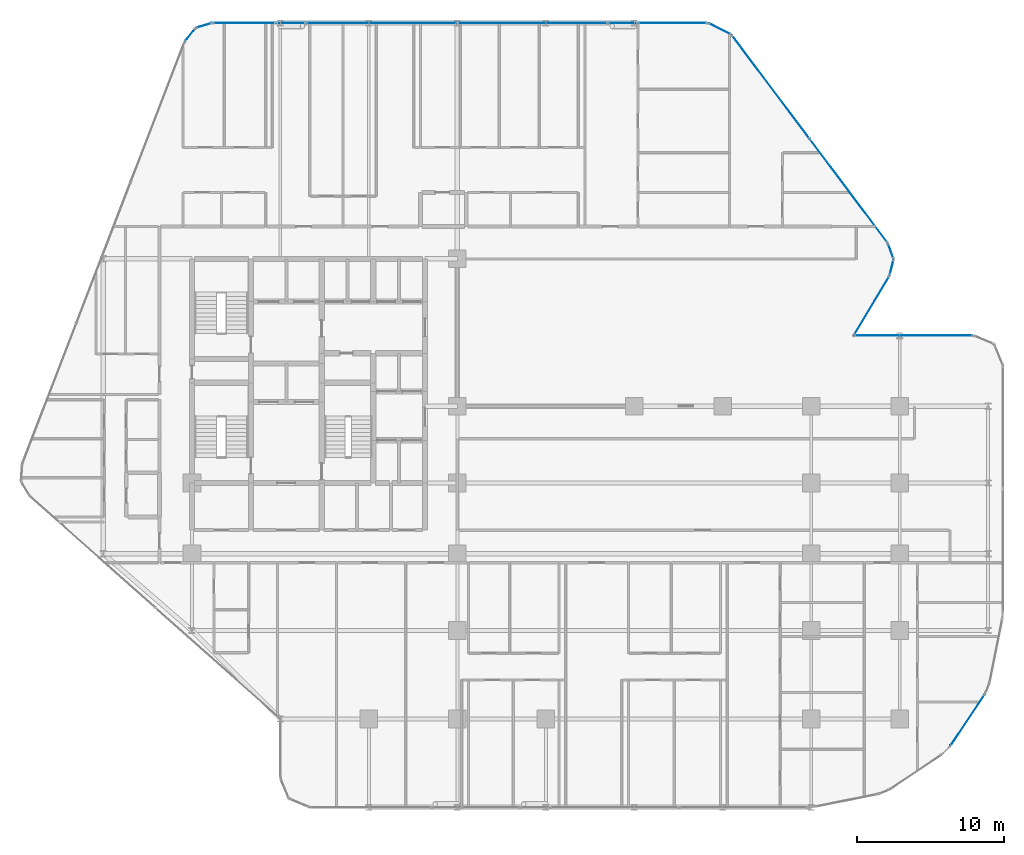
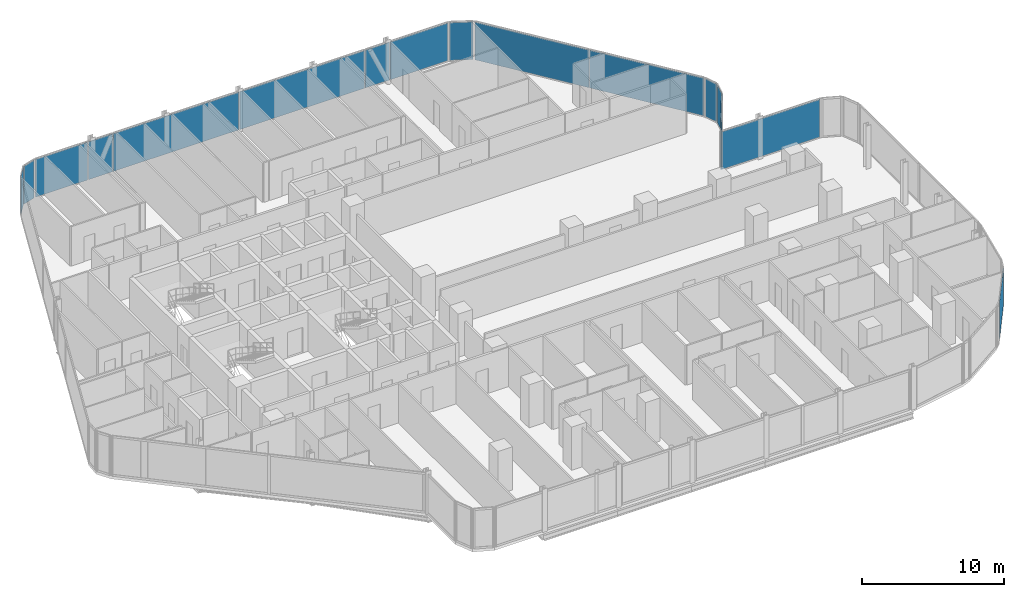
# One storey, part 24 of 33: 16 plates, 14 elements without a shape of their own.
"""IFC4 building model written with IfcOpenShell, lengths in metres."""

from ifc_helpers import new_model, si_unit, direction, frame, origin, origin_2d, place, context, subcontext, project, spatial, rectangle, extrude, material, layer, layer_set, type_object, element, aggregate, save


model = new_model("IFC4")

# Units and contexts
model_context = context("Model", 3, precision=1e-05, world=origin(), true_north=direction((0.0, 1.0)))
body_context = subcontext(model_context, "Body", "Model", "MODEL_VIEW")
ifc_project = project(units=[si_unit("LENGTHUNIT", "METRE"), si_unit("AREAUNIT", "SQUARE_METRE"), si_unit("VOLUMEUNIT", "CUBIC_METRE"), si_unit("PLANEANGLEUNIT", "RADIAN"), si_unit("MASSUNIT", "GRAM", prefix="KILO")], contexts=[model_context])

# Site, building, storey
site_placement = place(None, origin())
site = spatial("IfcSite", under=ifc_project, at=site_placement, CompositionType="ELEMENT")
building_placement = place(site_placement, origin())
building = spatial("IfcBuilding", under=site, at=building_placement, Name="Keshet Zoharim Tower", CompositionType="ELEMENT")
storey_placement = place(building_placement, frame((0.0, 0.0, 73.800048828125)))
storey = spatial("IfcBuildingStorey", under=building, at=storey_placement, Name="L17", CompositionType="ELEMENT", Elevation=73.800048828125)

# Curtain wall, plate
ifc_material_1 = material(Name="Aluminium 6063-T6", Category="aluminium")
ifc_layer_1 = layer(ifc_material_1, 0.179931640625)
ifc_layer_set_1 = layer_set([ifc_layer_1], Name="Aluminium 6063-T6")
curtain_wall_type_1 = type_object("IfcCurtainWallType", Name="CW-SYS-01", PredefinedType="NOTDEFINED", material=ifc_layer_set_1)
curtain_wall_1_placement = place(storey_placement, origin())
curtain_wall_1 = element("IfcCurtainWall", 1, at=curtain_wall_1_placement, inside=storey, type_object=curtain_wall_type_1, Name="L17 Unitised Curtain Wall 05", PredefinedType="NOTDEFINED")
ifc_material_2 = material(Name="Insulated Low-E Clear Glass", Category="glass")
ifc_layer_2 = layer(ifc_material_2, 0.035888671875)
ifc_layer_set_2 = layer_set([ifc_layer_2], Name="Insulated Low-E Clear Glass")
plate_type_1 = type_object("IfcPlateType", Name="CWP-01", PredefinedType="CURTAIN_PANEL", material=ifc_layer_set_2)
plate_1_placement = place(storey_placement, frame((14.8740234375, 53.08349609375, 0.06982421875), z_axis=(0.0, 0.0, 1.0), x_axis=(0.619124525989, 0.785292825205, 0.0)))
plate_1 = element("IfcPlate", 2, at=plate_1_placement, type_object=plate_type_1, Name="CW-01 panel 1.1", PredefinedType="CURTAIN_PANEL", context=body_context, shape_type="SweptSolid", body=[
    extrude(rectangle(XDim=1.045654296875, YDim=0.035888671875, at=origin_2d()), origin(), (0.0, 0.0, 1.0), 3.2451171875),
])
aggregate(curtain_wall_1, [plate_1])

curtain_wall_2_placement = place(storey_placement, origin())
curtain_wall_2 = element("IfcCurtainWall", 3, at=curtain_wall_2_placement, inside=storey, type_object=curtain_wall_type_1, Name="L17 Unitised Curtain Wall 06", PredefinedType="NOTDEFINED")
plate_2_placement = place(storey_placement, frame((15.8076171875, 53.724609375, 0.06982421875), z_axis=(0.0, 0.0, 1.0), x_axis=(0.955212151288, 0.295921857984, 0.0)))
plate_2 = element("IfcPlate", 4, at=plate_2_placement, type_object=plate_type_1, Name="CW-01 panel 1.1", PredefinedType="CURTAIN_PANEL", context=body_context, shape_type="SweptSolid", body=[
    extrude(rectangle(XDim=1.046142578125, YDim=0.035888671875, at=origin_2d()), origin(), (0.0, 0.0, 1.0), 3.2451171875),
])
aggregate(curtain_wall_2, [plate_2])

curtain_wall_3_placement = place(storey_placement, origin())
curtain_wall_3 = element("IfcCurtainWall", 5, at=curtain_wall_3_placement, inside=storey, type_object=curtain_wall_type_1, Name="L17 Unitised Curtain Wall 12", PredefinedType="NOTDEFINED")
plate_3_placement = place(storey_placement, frame((61.093994140625, 34.723388671875, 0.06982421875), z_axis=(0.0, 0.0, 1.0), x_axis=(-0.51446459506, -0.857511621163, 0.0)))
plate_3 = element("IfcPlate", 6, at=plate_3_placement, type_object=plate_type_1, Name="CW-01 panel 1.1", PredefinedType="CURTAIN_PANEL", context=body_context, shape_type="SweptSolid", body=[
    extrude(rectangle(XDim=4.57958984375, YDim=0.035888671875, at=origin_2d()), origin(), (0.0, 0.0, 1.0), 3.2451171875),
])
aggregate(curtain_wall_3, [plate_3])

curtain_wall_4_placement = place(storey_placement, origin())
curtain_wall_4 = element("IfcCurtainWall", 7, at=curtain_wall_4_placement, inside=storey, type_object=curtain_wall_type_1, Name="L17 Unitised Curtain Wall 20", PredefinedType="NOTDEFINED")
plate_4_placement = place(storey_placement, frame((67.60107421875, 6.615966796875, 0.06982421875), z_axis=(0.0, 0.0, 1.0), x_axis=(-0.555563243758, -0.831474282335, 0.0)))
plate_4 = element("IfcPlate", 8, at=plate_4_placement, type_object=plate_type_1, Name="CW-01 panel 1.1", PredefinedType="CURTAIN_PANEL", context=body_context, shape_type="SweptSolid", body=[
    extrude(rectangle(XDim=4.13671875, YDim=0.035888671875, at=origin_2d()), origin(), (0.0, 0.0, 1.0), 3.2451171875),
])
aggregate(curtain_wall_4, [plate_4])

ifc_layer_3 = layer(ifc_material_1, 0.169921875)
ifc_layer_set_3 = layer_set([ifc_layer_3], Name="Aluminium 6063-T6")
curtain_wall_type_2 = type_object("IfcCurtainWallType", Name="CW-SYS-02", PredefinedType="NOTDEFINED", material=ifc_layer_set_3)
curtain_wall_5_placement = place(storey_placement, origin())
curtain_wall_5 = element("IfcCurtainWall", 9, at=curtain_wall_5_placement, inside=storey, type_object=curtain_wall_type_2, Name="L17 Unitised Curtain Wall 07", PredefinedType="NOTDEFINED")
ifc_layer_4 = layer(ifc_material_2, 0.031982421875)
ifc_layer_set_4 = layer_set([ifc_layer_4], Name="Insulated Low-E Clear Glass")
plate_type_2 = type_object("IfcPlateType", Name="CWP-02", PredefinedType="CURTAIN_PANEL", material=ifc_layer_set_4)
plate_5_placement = place(storey_placement, frame((18.5556640625, 53.89990234375, 0.06982421875), z_axis=(0.0, 0.0, 1.0), x_axis=(1.0, 0.0, 0.0)))
plate_5 = element("IfcPlate", 10, at=plate_5_placement, type_object=plate_type_2, Name="CW-02 panel 1.1", PredefinedType="CURTAIN_PANEL", context=body_context, shape_type="SweptSolid", body=[
    extrude(rectangle(XDim=4.223388671875, YDim=0.031982421875, at=origin_2d()), origin(), (0.0, 0.0, 1.0), 3.2451171875),
])
aggregate(curtain_wall_5, [plate_5])

# Curtain wall, plates
curtain_wall_6_placement = place(storey_placement, origin())
curtain_wall_6 = element("IfcCurtainWall", 11, at=curtain_wall_6_placement, inside=storey, type_object=curtain_wall_type_2, Name="L17 Unitised Curtain Wall 07 Part 3", PredefinedType="NOTDEFINED")
plate_6_placement = place(storey_placement, frame((27.86376953125, 53.89990234375, 0.06982421875), z_axis=(0.0, 0.0, 1.0), x_axis=(1.0, 0.0, 0.0)))
plate_6 = element("IfcPlate", 12, at=plate_6_placement, type_object=plate_type_2, Name="CW-02 panel 1.1", PredefinedType="CURTAIN_PANEL", context=body_context, shape_type="SweptSolid", body=[
    extrude(rectangle(XDim=10.202392578125, YDim=0.031982421875, at=origin_2d()), origin(), (0.0, 0.0, 1.0), 3.2451171875),
])
plate_7_placement = place(storey_placement, frame((38.101318359375, 53.89990234375, 0.06982421875), z_axis=(0.0, 0.0, 1.0), x_axis=(1.0, 0.0, 0.0)))
plate_7 = element("IfcPlate", 13, at=plate_7_placement, type_object=plate_type_2, Name="CW-02 panel 2.1", PredefinedType="CURTAIN_PANEL", context=body_context, shape_type="SweptSolid", body=[
    extrude(rectangle(XDim=10.13232421875, YDim=0.031982421875, at=origin_2d()), origin(), (0.0, 0.0, 1.0), 3.2451171875),
])
aggregate(curtain_wall_6, [plate_6, plate_7])

# Curtain wall, plate
curtain_wall_7_placement = place(storey_placement, origin())
curtain_wall_7 = element("IfcCurtainWall", 14, at=curtain_wall_7_placement, inside=storey, type_object=curtain_wall_type_2, Name="L17 Unitised Curtain Wall 07 Part 5", PredefinedType="NOTDEFINED")
plate_8_placement = place(storey_placement, frame((47.59619140625, 53.89990234375, 0.06982421875), z_axis=(0.0, 0.0, 1.0), x_axis=(1.0, 0.0, 0.0)))
plate_8 = element("IfcPlate", 15, at=plate_8_placement, type_object=plate_type_2, Name="CW-02 panel 1.1", PredefinedType="CURTAIN_PANEL", context=body_context, shape_type="SweptSolid", body=[
    extrude(rectangle(XDim=4.66748046875, YDim=0.031982421875, at=origin_2d()), origin(), (0.0, 0.0, 1.0), 3.2451171875),
])
aggregate(curtain_wall_7, [plate_8])

curtain_wall_8_placement = place(storey_placement, origin())
curtain_wall_8 = element("IfcCurtainWall", 16, at=curtain_wall_8_placement, inside=storey, type_object=curtain_wall_type_2, Name="L17 Unitised Curtain Wall 08", PredefinedType="NOTDEFINED")
plate_9_placement = place(storey_placement, frame((50.800048828125, 53.5, 0.06982421875), z_axis=(0.0, 0.0, 1.0), x_axis=(0.894427191001, -0.447213595499, 0.0)))
plate_9 = element("IfcPlate", 17, at=plate_9_placement, type_object=plate_type_2, Name="CW-02 panel 1.1", PredefinedType="CURTAIN_PANEL", context=body_context, shape_type="SweptSolid", body=[
    extrude(rectangle(XDim=1.64892578125, YDim=0.031982421875, at=origin_2d()), origin(), (0.0, 0.0, 1.0), 3.2451171875),
])
aggregate(curtain_wall_8, [plate_9])

# Curtain wall, plates
curtain_wall_9_placement = place(storey_placement, origin())
curtain_wall_9 = element("IfcCurtainWall", 18, at=curtain_wall_9_placement, inside=storey, type_object=curtain_wall_type_2, Name="L17 Unitised Curtain Wall 09", PredefinedType="NOTDEFINED")
plate_10_placement = place(storey_placement, frame((54.2587890625, 49.554931640625, 0.06982421875), z_axis=(0.0, 0.0, 1.0), x_axis=(0.600000000002, -0.799999999998, 0.0)))
plate_10 = element("IfcPlate", 19, at=plate_10_placement, type_object=plate_type_2, Name="CW-02 panel 1.1", PredefinedType="CURTAIN_PANEL", context=body_context, shape_type="SweptSolid", body=[
    extrude(rectangle(XDim=8.722412109375, YDim=0.031982421875, at=origin_2d()), origin(), (0.0, 0.0, 1.0), 3.2451171875),
])
plate_11_placement = place(storey_placement, frame((59.5341796875, 42.52099609375, 0.06982421875), z_axis=(0.0, 0.0, 1.0), x_axis=(0.600000000002, -0.799999999998, 0.0)))
plate_11 = element("IfcPlate", 20, at=plate_11_placement, type_object=plate_type_2, Name="CW-02 panel 2.1", PredefinedType="CURTAIN_PANEL", context=body_context, shape_type="SweptSolid", body=[
    extrude(rectangle(XDim=8.722412109375, YDim=0.031982421875, at=origin_2d()), origin(), (0.0, 0.0, 1.0), 3.2451171875),
])
aggregate(curtain_wall_9, [plate_10, plate_11])

# Curtain wall, plate
curtain_wall_10_placement = place(storey_placement, origin())
curtain_wall_10 = element("IfcCurtainWall", 21, at=curtain_wall_10_placement, inside=storey, type_object=curtain_wall_type_2, Name="L17 Unitised Curtain Wall 10", PredefinedType="NOTDEFINED")
plate_12_placement = place(storey_placement, frame((62.3916015625, 38.427490234375, 0.06982421875), z_axis=(0.0, 0.0, 1.0), x_axis=(0.340297354046, -0.940317877544, 0.0)))
plate_12 = element("IfcPlate", 22, at=plate_12_placement, type_object=plate_type_2, Name="CW-02 panel 1.1", PredefinedType="CURTAIN_PANEL", context=body_context, shape_type="SweptSolid", body=[
    extrude(rectangle(XDim=1.026611328125, YDim=0.031982421875, at=origin_2d()), origin(), (0.0, 0.0, 1.0), 3.2451171875),
])
aggregate(curtain_wall_10, [plate_12])

curtain_wall_11_placement = place(storey_placement, origin())
curtain_wall_11 = element("IfcCurtainWall", 23, at=curtain_wall_11_placement, inside=storey, type_object=curtain_wall_type_2, Name="L17 Unitised Curtain Wall 11", PredefinedType="NOTDEFINED")
plate_13_placement = place(storey_placement, frame((62.448974609375, 37.31298828125, 0.06982421875), z_axis=(0.0, 0.0, 1.0), x_axis=(-0.241728770141, -0.970343857447, 0.0)))
plate_13 = element("IfcPlate", 24, at=plate_13_placement, type_object=plate_type_2, Name="CW-02 panel 1.1", PredefinedType="CURTAIN_PANEL", context=body_context, shape_type="SweptSolid", body=[
    extrude(rectangle(XDim=1.026611328125, YDim=0.031982421875, at=origin_2d()), origin(), (0.0, 0.0, 1.0), 3.2451171875),
])
aggregate(curtain_wall_11, [plate_13])

curtain_wall_12_placement = place(storey_placement, origin())
curtain_wall_12 = element("IfcCurtainWall", 25, at=curtain_wall_12_placement, inside=storey, type_object=curtain_wall_type_2, Name="L17 Unitised Curtain Wall 13", PredefinedType="NOTDEFINED")
plate_14_placement = place(storey_placement, frame((63.93994140625, 32.699951171875, 0.06982421875), z_axis=(0.0, 0.0, 1.0), x_axis=(1.0, 0.0, 0.0)))
plate_14 = element("IfcPlate", 26, at=plate_14_placement, type_object=plate_type_2, Name="CW-02 panel 1.1", PredefinedType="CURTAIN_PANEL", context=body_context, shape_type="SweptSolid", body=[
    extrude(rectangle(XDim=7.97998046875, YDim=0.031982421875, at=origin_2d()), origin(), (0.0, 0.0, 1.0), 3.2451171875),
])
aggregate(curtain_wall_12, [plate_14])

curtain_wall_13_placement = place(storey_placement, origin())
curtain_wall_13 = element("IfcCurtainWall", 27, at=curtain_wall_13_placement, inside=storey, type_object=curtain_wall_type_2, Name="L17 Unitised Curtain Wall 07 Part 2", PredefinedType="NOTDEFINED")
ifc_material_3 = material(Name="Insulated Aluminium Spandrel Panel", Category="aluminium")
ifc_layer_5 = layer(ifc_material_3, 0.031982421875)
ifc_layer_set_5 = layer_set([ifc_layer_5], Name="Insulated Aluminium Spandrel Panel")
plate_type_3 = type_object("IfcPlateType", Name="CWP-05", PredefinedType="CURTAIN_PANEL", material=ifc_layer_set_5)
plate_15_placement = place(storey_placement, frame((21.715087890625, 53.89990234375, 0.06982421875), z_axis=(0.0, 0.0, 1.0), x_axis=(1.0, 0.0, 0.0)))
plate_15 = element("IfcPlate", 28, at=plate_15_placement, type_object=plate_type_3, Name="CW-02 spandrel panel 1.1", PredefinedType="CURTAIN_PANEL", context=body_context, shape_type="SweptSolid", body=[
    extrude(rectangle(XDim=1.955078125, YDim=0.031982421875, at=origin_2d()), origin(), (0.0, 0.0, 1.0), 3.2451171875),
])
aggregate(curtain_wall_13, [plate_15])

curtain_wall_14_placement = place(storey_placement, origin())
curtain_wall_14 = element("IfcCurtainWall", 29, at=curtain_wall_14_placement, inside=storey, type_object=curtain_wall_type_2, Name="L17 Unitised Curtain Wall 07 Part 4", PredefinedType="NOTDEFINED")
plate_16_placement = place(storey_placement, frame((44.215087890625, 53.89990234375, 0.06982421875), z_axis=(0.0, 0.0, 1.0), x_axis=(1.0, 0.0, 0.0)))
plate_16 = element("IfcPlate", 30, at=plate_16_placement, type_object=plate_type_3, Name="CW-02 spandrel panel 1.1", PredefinedType="CURTAIN_PANEL", context=body_context, shape_type="SweptSolid", body=[
    extrude(rectangle(XDim=1.955078125, YDim=0.031982421875, at=origin_2d()), origin(), (0.0, 0.0, 1.0), 3.2451171875),
])
aggregate(curtain_wall_14, [plate_16])

save(model, "model.ifc")
